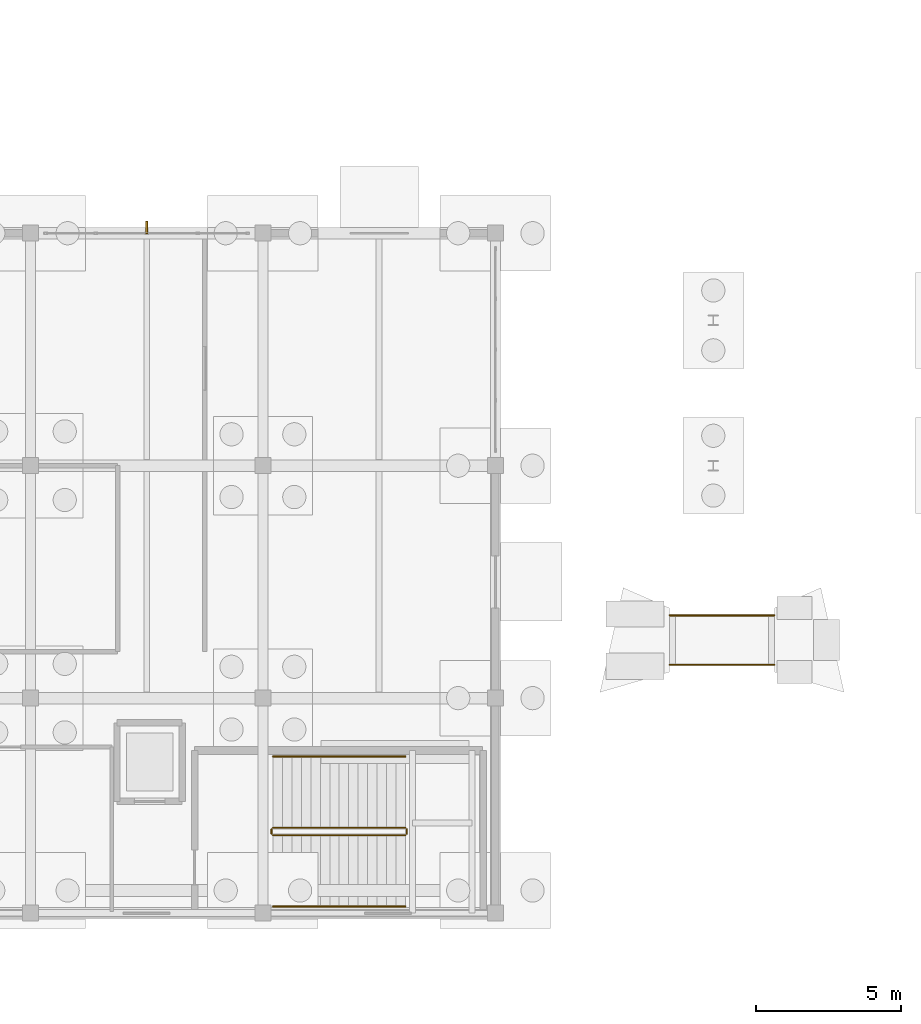
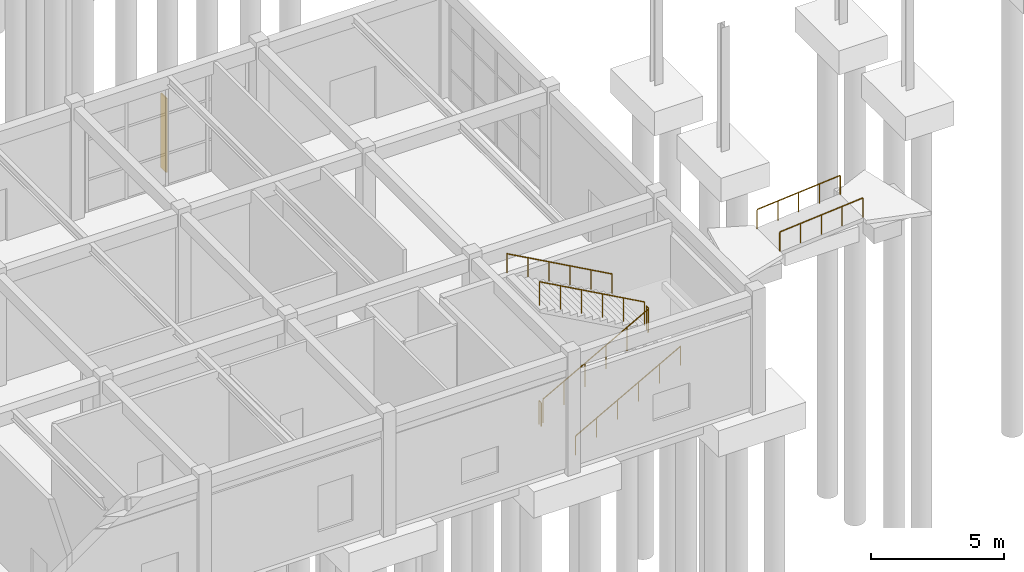
# One storey, part 81 of 90: 8 railings, 1 shading device.
"""IFC4 building model written with IfcOpenShell, lengths in metres."""

from ifc_helpers import new_model, si_unit, direction, frame, origin, origin_2d, place, context, subcontext, project, spatial, rectangle, circle, extrude, material, type_object, element, save


model = new_model("IFC4")

# Units and contexts
model_context = context("Model", 3, precision=1e-05, world=origin(), true_north=direction((0.0, 1.0)))
body_context = subcontext(model_context, "Body", "Model", "MODEL_VIEW")
ifc_project = project(units=[si_unit("LENGTHUNIT", "METRE"), si_unit("AREAUNIT", "SQUARE_METRE"), si_unit("VOLUMEUNIT", "CUBIC_METRE"), si_unit("PLANEANGLEUNIT", "RADIAN"), si_unit("MASSUNIT", "GRAM", prefix="KILO")], contexts=[model_context])

# Site, building, storey
site_placement = place(None, origin())
site = spatial("IfcSite", under=ifc_project, at=site_placement, CompositionType="ELEMENT")
building_placement = place(site_placement, origin())
building = spatial("IfcBuilding", under=site, at=building_placement, Name="Canggui Botanical Conservatory", CompositionType="ELEMENT")
storey_placement = place(building_placement, origin())
storey = spatial("IfcBuildingStorey", under=building, at=storey_placement, Name="L01", CompositionType="ELEMENT", Elevation=0.0)

# Railings
ifc_material_1 = material(Name="Stainless Steel 304", Category="steel")
railing_type_1 = type_object("IfcRailingType", Name="RAIL-GUARD-1100", PredefinedType="BALUSTRADE", material=ifc_material_1)
railing_1_placement = place(storey_placement, frame((58.35009765625, 13.280029296875, 0.179931640625)))
element("IfcRailing", 1, at=railing_1_placement, inside=storey, type_object=railing_type_1, Name="L01 ST-V1 stair guard 1", PredefinedType="BALUSTRADE", context=body_context, shape_type="SweptSolid", body=[
    extrude(circle(Radius=0.02392578125, at=origin_2d()), frame((0.0, 0.0, 1.076171875), z_axis=(0.87478094925, 0.0, 0.48451861763), x_axis=(0.0, 1.0, 0.0)), (0.0, 0.0, 1.0), 5.201171875),
    extrude(circle(Radius=0.02099609375, at=origin_2d()), origin(), (0.0, 0.0, 1.0), 1.052001953125),
    extrude(circle(Radius=0.02099609375, at=origin_2d()), frame((0.909912109375, 0.0, 0.50390625)), (0.0, 0.0, 1.0), 1.052001953125),
    extrude(circle(Radius=0.02099609375, at=origin_2d()), frame((1.81982421875, 0.0, 1.008056640625)), (0.0, 0.0, 1.0), 1.052001953125),
    extrude(circle(Radius=0.02099609375, at=origin_2d()), frame((2.72998046875, 0.0, 1.511962890625)), (0.0, 0.0, 1.0), 1.052001953125),
    extrude(circle(Radius=0.02099609375, at=origin_2d()), frame((3.639892578125, 0.0, 2.01611328125)), (0.0, 0.0, 1.0), 1.052001953125),
    extrude(circle(Radius=0.02099609375, at=origin_2d()), frame((4.5498046875, 0.0, 2.52001953125)), (0.0, 0.0, 1.0), 1.052001953125),
])
railing_2_placement = place(storey_placement, frame((62.949951171875, 13.330078125, 2.699951171875)))
element("IfcRailing", 2, at=railing_2_placement, inside=storey, type_object=railing_type_1, Name="L01 ST-V1 stair guard 2", PredefinedType="BALUSTRADE", context=body_context, shape_type="SweptSolid", body=[
    extrude(circle(Radius=0.02392578125, at=origin_2d()), frame((0.0, 0.0, 1.076171875), z_axis=(0.0, 1.0, 0.0), x_axis=(-1.0, 0.0, 0.0)), (0.0, 0.0, 1.0), 0.159912109375),
    extrude(circle(Radius=0.02099609375, at=origin_2d()), origin(), (0.0, 0.0, 1.0), 1.052001953125),
    extrude(circle(Radius=0.02099609375, at=origin_2d()), frame((0.0, 0.159912109375, 0.0)), (0.0, 0.0, 1.0), 1.052001953125),
])
railing_3_placement = place(storey_placement, frame((62.89990234375, 13.5400390625, 2.8798828125)))
element("IfcRailing", 3, at=railing_3_placement, inside=storey, type_object=railing_type_1, Name="L01 ST-V1 stair guard 3", PredefinedType="BALUSTRADE", context=body_context, shape_type="SweptSolid", body=[
    extrude(circle(Radius=0.02392578125, at=origin_2d()), frame((0.0, 0.0, 1.076171875), z_axis=(-0.87478094925, 0.0, 0.48451861763), x_axis=(0.0, -1.0, 0.0)), (0.0, 0.0, 1.0), 5.201171875),
    extrude(circle(Radius=0.02099609375, at=origin_2d()), origin(), (0.0, 0.0, 1.0), 1.052001953125),
    extrude(circle(Radius=0.02099609375, at=origin_2d()), frame((-0.909912109375, 0.0, 0.50390625)), (0.0, 0.0, 1.0), 1.052001953125),
    extrude(circle(Radius=0.02099609375, at=origin_2d()), frame((-1.81982421875, 0.0, 1.008056640625)), (0.0, 0.0, 1.0), 1.052001953125),
    extrude(circle(Radius=0.02099609375, at=origin_2d()), frame((-2.72998046875, 0.0, 1.511962890625)), (0.0, 0.0, 1.0), 1.052001953125),
    extrude(circle(Radius=0.02099609375, at=origin_2d()), frame((-3.639892578125, 0.0, 2.01611328125)), (0.0, 0.0, 1.0), 1.052001953125),
    extrude(circle(Radius=0.02099609375, at=origin_2d()), frame((-4.5498046875, 0.0, 2.52001953125)), (0.0, 0.0, 1.0), 1.052001953125),
])
railing_4_placement = place(storey_placement, frame((58.300048828125, 13.330078125, 0.0)))
element("IfcRailing", 4, at=railing_4_placement, inside=storey, type_object=railing_type_1, Name="L01 ST-V1 stair guard 4", PredefinedType="BALUSTRADE", context=body_context, shape_type="SweptSolid", body=[
    extrude(circle(Radius=0.02392578125, at=origin_2d()), frame((0.0, 0.0, 1.076171875), z_axis=(0.0, 1.0, 0.0), x_axis=(-1.0, 0.0, 0.0)), (0.0, 0.0, 1.0), 0.159912109375),
    extrude(circle(Radius=0.02099609375, at=origin_2d()), origin(), (0.0, 0.0, 1.0), 1.052001953125),
    extrude(circle(Radius=0.02099609375, at=origin_2d()), frame((0.0, 0.159912109375, 0.0)), (0.0, 0.0, 1.0), 1.052001953125),
])
railing_type_2 = type_object("IfcRailingType", Name="RAIL-HAND-900", PredefinedType="HANDRAIL", material=ifc_material_1)
railing_5_placement = place(storey_placement, frame((58.35009765625, 10.830078125, 0.179931640625)))
element("IfcRailing", 5, at=railing_5_placement, inside=storey, type_object=railing_type_2, Name="L01 ST-V1 stair handrail 1", PredefinedType="HANDRAIL", context=body_context, shape_type="SweptSolid", body=[
    extrude(circle(Radius=0.02392578125, at=origin_2d()), frame((0.0, 0.0, 0.8759765625), z_axis=(0.87478094925, 0.0, 0.48451861763), x_axis=(0.0, 1.0, 0.0)), (0.0, 0.0, 1.0), 5.201171875),
    extrude(circle(Radius=0.02099609375, at=origin_2d()), origin(), (0.0, 0.0, 1.0), 0.851806640625),
    extrude(circle(Radius=0.02099609375, at=origin_2d()), frame((0.909912109375, 0.0, 0.50390625)), (0.0, 0.0, 1.0), 0.851806640625),
    extrude(circle(Radius=0.02099609375, at=origin_2d()), frame((1.81982421875, 0.0, 1.008056640625)), (0.0, 0.0, 1.0), 0.851806640625),
    extrude(circle(Radius=0.02099609375, at=origin_2d()), frame((2.72998046875, 0.0, 1.511962890625)), (0.0, 0.0, 1.0), 0.851806640625),
    extrude(circle(Radius=0.02099609375, at=origin_2d()), frame((3.639892578125, 0.0, 2.01611328125)), (0.0, 0.0, 1.0), 0.851806640625),
    extrude(circle(Radius=0.02099609375, at=origin_2d()), frame((4.5498046875, 0.0, 2.52001953125)), (0.0, 0.0, 1.0), 0.851806640625),
])
railing_6_placement = place(storey_placement, frame((62.89990234375, 15.989990234375, 2.8798828125)))
element("IfcRailing", 6, at=railing_6_placement, inside=storey, type_object=railing_type_2, Name="L01 ST-V1 stair handrail 2", PredefinedType="HANDRAIL", context=body_context, shape_type="SweptSolid", body=[
    extrude(circle(Radius=0.02392578125, at=origin_2d()), frame((0.0, 0.0, 0.8759765625), z_axis=(-0.87478094925, 0.0, 0.48451861763), x_axis=(0.0, -1.0, 0.0)), (0.0, 0.0, 1.0), 5.201171875),
    extrude(circle(Radius=0.02099609375, at=origin_2d()), origin(), (0.0, 0.0, 1.0), 0.851806640625),
    extrude(circle(Radius=0.02099609375, at=origin_2d()), frame((-0.909912109375, 0.0, 0.50390625)), (0.0, 0.0, 1.0), 0.851806640625),
    extrude(circle(Radius=0.02099609375, at=origin_2d()), frame((-1.81982421875, 0.0, 1.008056640625)), (0.0, 0.0, 1.0), 0.851806640625),
    extrude(circle(Radius=0.02099609375, at=origin_2d()), frame((-2.72998046875, 0.0, 1.511962890625)), (0.0, 0.0, 1.0), 0.851806640625),
    extrude(circle(Radius=0.02099609375, at=origin_2d()), frame((-3.639892578125, 0.0, 2.01611328125)), (0.0, 0.0, 1.0), 0.851806640625),
    extrude(circle(Radius=0.02099609375, at=origin_2d()), frame((-4.5498046875, 0.0, 2.52001953125)), (0.0, 0.0, 1.0), 0.851806640625),
])
for number, where, name in (
    (7, (72.0, 19.14990234375, -0.300048828125), "PR-01 Accessible Handrail S"),
    (8, (72.0, 20.85009765625, -0.300048828125), "PR-01 Accessible Handrail N"),
):
    element("IfcRailing", number, at=place(storey_placement, frame(where)), inside=storey, type_object=railing_type_2, Name=name, PredefinedType="HANDRAIL", context=body_context, shape_type="SweptSolid", body=[
        extrude(circle(Radius=0.02392578125, at=origin_2d()), frame((0.0, 0.0, 0.8759765625), z_axis=(0.996544826035, 0.0, 0.083056665618), x_axis=(0.0, 1.0, 0.0)), (0.0, 0.0, 1.0), 3.612548828125),
        extrude(circle(Radius=0.02099609375, at=origin_2d()), origin(), (0.0, 0.0, 1.0), 0.851806640625),
        extrude(circle(Radius=0.02099609375, at=origin_2d()), frame((0.89990234375, 0.0, 0.074951171875)), (0.0, 0.0, 1.0), 0.851806640625),
        extrude(circle(Radius=0.02099609375, at=origin_2d()), frame((1.800048828125, 0.0, 0.14990234375)), (0.0, 0.0, 1.0), 0.851806640625),
        extrude(circle(Radius=0.02099609375, at=origin_2d()), frame((2.7001953125, 0.0, 0.22509765625)), (0.0, 0.0, 1.0), 0.851806640625),
        extrude(circle(Radius=0.02099609375, at=origin_2d()), frame((3.60009765625, 0.0, 0.300048828125)), (0.0, 0.0, 1.0), 0.851806640625),
    ])

# Shading device
ifc_material_2 = material(Name="Anodised Aluminium", Category="aluminium")
shading_device_type = type_object("IfcShadingDeviceType", Name="SHD-FIN01", PredefinedType="AWNING", material=ifc_material_2)
shading_device_placement = place(storey_placement, frame((54.0, 34.195068359375, 0.60498046875), z_axis=(0.0, 0.0, 1.0), x_axis=(1.0, 0.0, 0.0)))
element("IfcShadingDevice", 9, at=shading_device_placement, inside=storey, type_object=shading_device_type, Name="Solar Shading Fin CW-VIS-L01-16", PredefinedType="AWNING", context=body_context, shape_type="SweptSolid", body=[
    extrude(rectangle(XDim=0.06005859375, YDim=0.419921875, at=origin_2d()), origin(), (0.0, 0.0, 1.0), 3.39990234375),
])

save(model, "model.ifc")
